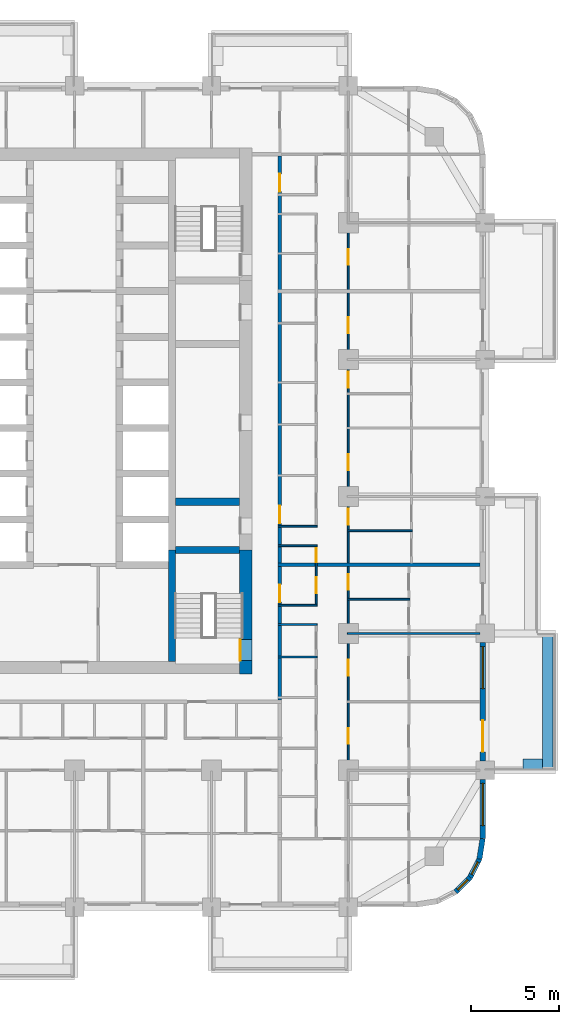
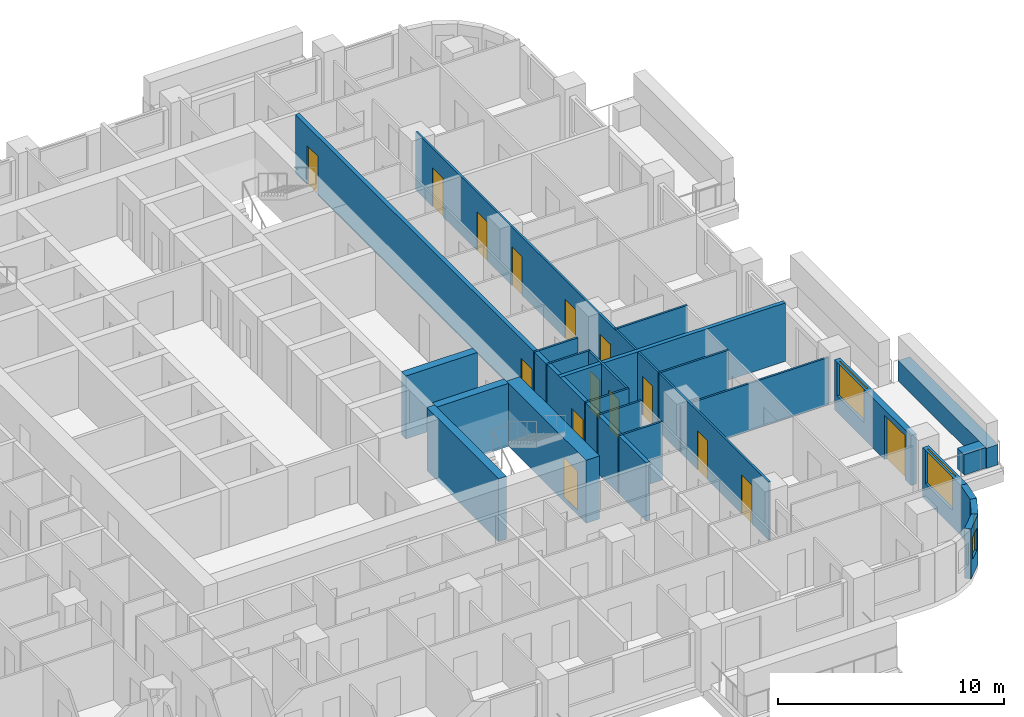
# One storey, part 8 of 17: 23 walls, 15 doors, 4 windows, 19 openings.
"""IFC4 building model written with IfcOpenShell, lengths in metres."""

from ifc_helpers import new_model, si_unit, direction, frame, frame_2d, origin, place, context, subcontext, project, spatial, rectangle, extrude, material, layer, layer_set, type_object, element, fill, save


model = new_model("IFC4")

# Units and contexts
model_context = context("Model", 3, precision=1e-05, world=origin(), true_north=direction((0.0, 1.0)))
body_context = subcontext(model_context, "Body", "Model", "MODEL_VIEW")
ifc_project = project(units=[si_unit("LENGTHUNIT", "METRE"), si_unit("AREAUNIT", "SQUARE_METRE"), si_unit("VOLUMEUNIT", "CUBIC_METRE"), si_unit("PLANEANGLEUNIT", "RADIAN"), si_unit("MASSUNIT", "GRAM", prefix="KILO")], contexts=[model_context])

# Site, building, storey
site_placement = place(None, origin())
site = spatial("IfcSite", under=ifc_project, at=site_placement, CompositionType="ELEMENT")
building_placement = place(site_placement, origin())
building = spatial("IfcBuilding", under=site, at=building_placement, Name="Ludao Terraces", CompositionType="ELEMENT")
storey_placement = place(building_placement, frame((0.0, 0.0, 19.5)))
storey = spatial("IfcBuildingStorey", under=building, at=storey_placement, Name="L04", CompositionType="ELEMENT", Elevation=19.5)

# Wall, opening, door
ifc_material_1 = material(Name="Concrete C70", Category="concrete")
ifc_layer_1 = layer(ifc_material_1, 0.699951171875)
ifc_layer_set_1 = layer_set([ifc_layer_1], Name="Core wall 700 C70")
wall_type_1 = type_object("IfcWallType", Name="Core wall 700 C70", PredefinedType="SOLIDWALL", material=ifc_layer_set_1)
wall_1_placement = place(storey_placement, frame((94.75, 54.89990234375, -0.25), z_axis=(0.0, 0.0, 1.0), x_axis=(0.0, 1.0, 0.0)))
wall_1 = element("IfcWall", 1, at=wall_1_placement, inside=storey, type_object=wall_type_1, Name="Core wall L04 outer-E-S3", PredefinedType="SOLIDWALL", context=body_context, shape_type="SweptSolid", body=[
    extrude(rectangle(XDim=7.050048828125, YDim=0.699951171875, at=frame_2d((3.52490234375, 0.0))), origin(), (0.0, 0.0, 1.0), 3.39990234375),
])
opening_1_placement = place(wall_1_placement, frame((0.75, 0.0, 0.25)))
opening_1 = element("IfcOpeningElement", 2, at=opening_1_placement, cuts=wall_1, Name="Opening R01-057", PredefinedType="OPENING", context=body_context, shape_type="SweptSolid", body=[
    extrude(rectangle(XDim=1.199951171875, YDim=2.10009765625, at=frame_2d((0.60009765625, 1.050048828125))), frame((0.0, 0.35986328125, 0.0), z_axis=(0.0, -1.0, 0.0), x_axis=(1.0, 0.0, 0.0)), (0.0, 0.0, 1.0), 0.719970703125),
])
ifc_material_2 = material(Name="Steel Q235", Category="steel")
door_type_1 = type_object("IfcDoorType", Name="INT Stair door 1200", OperationType="DOUBLE_DOOR_SINGLE_SWING", PredefinedType="DOOR", material=ifc_material_2)
door_1_placement = place(opening_1_placement, origin())
door_1 = element("IfcDoor", 3, at=door_1_placement, inside=storey, type_object=door_type_1, Name="DOOR 057", OperationType="DOUBLE_DOOR_SINGLE_SWING", OverallHeight=2.10009765625, OverallWidth=1.199951171875, PredefinedType="DOOR", context=body_context, shape_type="SweptSolid", body=[
    extrude(rectangle(XDim=1.199951171875, YDim=2.10009765625, at=frame_2d((0.60009765625, 1.050048828125))), frame((0.0, 0.3349609375, 0.0), z_axis=(0.0, -1.0, 0.0), x_axis=(1.0, 0.0, 0.0)), (0.0, 0.0, 1.0), 0.050048828125),
])
fill(opening_1, door_1)

# Walls
ifc_material_3 = material(Name="Concrete C40", Category="concrete")
ifc_layer_2 = layer(ifc_material_3, 0.60009765625)
ifc_layer_set_2 = layer_set([ifc_layer_2], Name="ENV Planter trough 600")
wall_type_2 = type_object("IfcWallType", Name="ENV Planter trough 600", PredefinedType="USERDEFINED", material=ifc_layer_set_2)
wall_2_placement = place(storey_placement, frame((111.949951171875, 49.39990234375, 0.0), z_axis=(0.0, 0.0, 1.0), x_axis=(0.0, 1.0, 0.0)))
element("IfcWall", 4, at=wall_2_placement, inside=storey, type_object=wall_type_2, Name="PL-L04-E1", ObjectType="PLANTER", PredefinedType="USERDEFINED", context=body_context, shape_type="SweptSolid", body=[
    extrude(rectangle(XDim=7.800048828125, YDim=0.60009765625, at=frame_2d((3.89990234375, 0.0))), origin(), (0.0, 0.0, 1.0), 1.10009765625),
])
wall_3_placement = place(storey_placement, frame((111.64990234375, 49.75, 0.0), z_axis=(0.0, 0.0, 1.0), x_axis=(-1.0, 0.0, 0.0)))
element("IfcWall", 5, at=wall_3_placement, inside=storey, type_object=wall_type_2, Name="PL-L04-E1-SA", ObjectType="PLANTER", PredefinedType="USERDEFINED", context=body_context, shape_type="SweptSolid", body=[
    extrude(rectangle(XDim=1.099853515625, YDim=0.60009765625, at=frame_2d((0.5498046875, 0.0))), origin(), (0.0, 0.0, 1.0), 1.10009765625),
])

# Wall, opening, window
ifc_material_4 = material(Name="Granite cladding", Category="masonry")
ifc_layer_3 = layer(ifc_material_4, 0.0400390625, Category="stone")
ifc_material_5 = material(Name="Mineral wool")
ifc_layer_4 = layer(ifc_material_5, 0.06005859375)
ifc_layer_5 = layer(ifc_material_3, 0.199951171875, Category="concrete")
ifc_layer_set_3 = layer_set([ifc_layer_3, ifc_layer_4, ifc_layer_5], Name="ENV Stone-clad wall 300")
wall_type_3 = type_object("IfcWallType", Name="ENV Stone-clad wall 300", PredefinedType="SOLIDWALL", material=ifc_layer_set_3)
wall_4_placement = place(storey_placement, frame((108.25, 45.5, 0.0), z_axis=(0.0, 0.0, 1.0), x_axis=(0.0, 1.0, 0.0)))
wall_4 = element("IfcWall", 6, at=wall_4_placement, inside=storey, type_object=wall_type_3, Name="EW-L04-E1", PredefinedType="SOLIDWALL", context=body_context, shape_type="SweptSolid", body=[
    extrude(rectangle(XDim=3.375, YDim=0.300048828125, at=frame_2d((1.6875, 0.0))), origin(), (0.0, 0.0, 1.0), 2.699951171875),
])
opening_2_placement = place(wall_4_placement, frame((0.75, 0.0, 0.89990234375)))
opening_2 = element("IfcOpeningElement", 7, at=opening_2_placement, cuts=wall_4, Name="Opening W1", PredefinedType="OPENING", context=body_context, shape_type="SweptSolid", body=[
    extrude(rectangle(XDim=2.39990234375, YDim=1.800048828125, at=frame_2d((1.199951171875, 0.89990234375))), frame((0.0, 0.16015625, 0.0), z_axis=(0.0, -1.0, 0.0), x_axis=(1.0, 0.0, 0.0)), (0.0, 0.0, 1.0), 0.320068359375),
])
ifc_material_6 = material(Name="Clear glass in aluminium frame", Category="aluminium")
ifc_layer_6 = layer(ifc_material_6, 0.06005859375)
ifc_layer_set_4 = layer_set([ifc_layer_6], Name="ENV Window W1 2400x1800")
window_type_1 = type_object("IfcWindowType", Name="ENV Window W1 2400x1800", PartitioningType="DOUBLE_PANEL_VERTICAL", PredefinedType="WINDOW", material=ifc_layer_set_4)
window_1_placement = place(opening_2_placement, origin())
window_1 = element("IfcWindow", 8, at=window_1_placement, inside=storey, type_object=window_type_1, Name="W-L04-E1-1", OverallHeight=1.800048828125, OverallWidth=2.39990234375, PartitioningType="DOUBLE_PANEL_VERTICAL", PredefinedType="WINDOW", context=body_context, shape_type="SweptSolid", body=[
    extrude(rectangle(XDim=2.39990234375, YDim=1.800048828125, at=frame_2d((1.199951171875, 0.89990234375))), frame((0.0, 0.030029296875, 0.0), z_axis=(0.0, -1.0, 0.0), x_axis=(1.0, 0.0, 0.0)), (0.0, 0.0, 1.0), 0.06005859375),
])
fill(opening_2, window_1)

# Wall, openings, door, window
wall_5_placement = place(storey_placement, frame((108.25, 49.925048828125, 0.0), z_axis=(0.0, 0.0, 1.0), x_axis=(0.0, 1.0, 0.0)))
wall_5 = element("IfcWall", 9, at=wall_5_placement, inside=storey, type_object=wall_type_3, Name="EW-L04-E2", PredefinedType="SOLIDWALL", context=body_context, shape_type="SweptSolid", body=[
    extrude(rectangle(XDim=6.75, YDim=0.300048828125, at=frame_2d((3.375, 0.0))), origin(), (0.0, 0.0, 1.0), 2.699951171875),
])
opening_3_placement = place(wall_5_placement, frame((0.52490234375, 0.0, 0.0)))
opening_3 = element("IfcOpeningElement", 10, at=opening_3_placement, cuts=wall_5, Name="Opening BD", PredefinedType="OPENING", context=body_context, shape_type="SweptSolid", body=[
    extrude(rectangle(XDim=1.800048828125, YDim=2.39990234375, at=frame_2d((0.89990234375, 1.199951171875))), frame((0.0, 0.16015625, 0.0), z_axis=(0.0, -1.0, 0.0), x_axis=(1.0, 0.0, 0.0)), (0.0, 0.0, 1.0), 0.320068359375),
])
opening_4_placement = place(wall_5_placement, frame((4.125, 0.0, 0.89990234375)))
opening_4 = element("IfcOpeningElement", 11, at=opening_4_placement, cuts=wall_5, Name="Opening W1", PredefinedType="OPENING", context=body_context, shape_type="SweptSolid", body=[
    extrude(rectangle(XDim=2.39990234375, YDim=1.800048828125, at=frame_2d((1.199951171875, 0.89990234375))), frame((0.0, 0.16015625, 0.0), z_axis=(0.0, -1.0, 0.0), x_axis=(1.0, 0.0, 0.0)), (0.0, 0.0, 1.0), 0.320068359375),
])
ifc_material_7 = material(Name="Aluminium glazed door", Category="aluminium")
ifc_layer_7 = layer(ifc_material_7, 0.06005859375)
ifc_layer_set_5 = layer_set([ifc_layer_7], Name="ENV Balcony door BD 1800x2400")
door_type_2 = type_object("IfcDoorType", Name="ENV Balcony door BD 1800x2400", OperationType="DOUBLE_DOOR_SINGLE_SWING", PredefinedType="DOOR", material=ifc_layer_set_5)
door_2_placement = place(opening_3_placement, origin())
door_2 = element("IfcDoor", 12, at=door_2_placement, inside=storey, type_object=door_type_2, Name="BD-L04-E2-1", OperationType="DOUBLE_DOOR_SINGLE_SWING", OverallHeight=2.39990234375, OverallWidth=1.800048828125, PredefinedType="DOOR", context=body_context, shape_type="SweptSolid", body=[
    extrude(rectangle(XDim=1.800048828125, YDim=2.39990234375, at=frame_2d((0.89990234375, 1.199951171875))), frame((0.0, 0.02490234375, 0.0), z_axis=(0.0, -1.0, 0.0), x_axis=(1.0, 0.0, 0.0)), (0.0, 0.0, 1.0), 0.050048828125),
])
fill(opening_3, door_2)
window_2_placement = place(opening_4_placement, origin())
window_2 = element("IfcWindow", 13, at=window_2_placement, inside=storey, type_object=window_type_1, Name="W-L04-E2-2", OverallHeight=1.800048828125, OverallWidth=2.39990234375, PartitioningType="DOUBLE_PANEL_VERTICAL", PredefinedType="WINDOW", context=body_context, shape_type="SweptSolid", body=[
    extrude(rectangle(XDim=2.39990234375, YDim=1.800048828125, at=frame_2d((1.199951171875, 0.89990234375))), frame((0.0, 0.030029296875, 0.0), z_axis=(0.0, -1.0, 0.0), x_axis=(1.0, 0.0, 0.0)), (0.0, 0.0, 1.0), 0.06005859375),
])
fill(opening_4, window_2)

# Wall, opening, window
wall_6_placement = place(storey_placement, frame((106.7041015625, 42.46630859375, 0.0), z_axis=(0.0, 0.0, 1.0), x_axis=(0.707106781187, 0.707106781187, 0.0)))
wall_6 = element("IfcWall", 14, at=wall_6_placement, inside=storey, type_object=wall_type_3, Name="EW-L04-SE3", PredefinedType="SOLIDWALL", context=body_context, shape_type="SweptSolid", body=[
    extrude(rectangle(XDim=1.173095703125, YDim=0.300048828125, at=frame_2d((0.58642578125, 0.0))), origin(), (0.0, 0.0, 1.0), 2.699951171875),
])
opening_5_placement = place(wall_6_placement, frame((0.1865234375, 0.0, 0.89990234375)))
opening_5 = element("IfcOpeningElement", 15, at=opening_5_placement, cuts=wall_6, Name="Opening W3", PredefinedType="OPENING", context=body_context, shape_type="SweptSolid", body=[
    extrude(rectangle(XDim=0.800048828125, YDim=1.199951171875, at=frame_2d((0.39990234375, 0.60009765625))), frame((0.0, 0.16015625, 0.0), z_axis=(0.0, -1.0, 0.0), x_axis=(1.0, 0.0, 0.0)), (0.0, 0.0, 1.0), 0.320068359375),
])
ifc_layer_8 = layer(ifc_material_6, 0.06005859375)
ifc_layer_set_6 = layer_set([ifc_layer_8], Name="ENV Window W3 800x1200")
window_type_2 = type_object("IfcWindowType", Name="ENV Window W3 800x1200", PartitioningType="SINGLE_PANEL", PredefinedType="WINDOW", material=ifc_layer_set_6)
window_3_placement = place(opening_5_placement, origin())
window_3 = element("IfcWindow", 16, at=window_3_placement, inside=storey, type_object=window_type_2, Name="W-L04-SE3", OverallHeight=1.199951171875, OverallWidth=0.800048828125, PartitioningType="SINGLE_PANEL", PredefinedType="WINDOW", context=body_context, shape_type="SweptSolid", body=[
    extrude(rectangle(XDim=0.800048828125, YDim=1.199951171875, at=frame_2d((0.39990234375, 0.60009765625))), frame((0.0, 0.030029296875, 0.0), z_axis=(0.0, -1.0, 0.0), x_axis=(1.0, 0.0, 0.0)), (0.0, 0.0, 1.0), 0.06005859375),
])
fill(opening_5, window_3)

wall_7_placement = place(storey_placement, frame((107.53369140625, 43.2958984375, 0.0), z_axis=(0.0, 0.0, 1.0), x_axis=(0.454025524128, 0.890988677504, 0.0)))
wall_7 = element("IfcWall", 17, at=wall_7_placement, inside=storey, type_object=wall_type_3, Name="EW-L04-SE4", PredefinedType="SOLIDWALL", context=body_context, shape_type="SweptSolid", body=[
    extrude(rectangle(XDim=1.17333984375, YDim=0.300048828125, at=frame_2d((0.586669921875, 0.0))), origin(), (0.0, 0.0, 1.0), 2.699951171875),
])
opening_6_placement = place(wall_7_placement, frame((0.1865234375, 0.0, 0.89990234375)))
opening_6 = element("IfcOpeningElement", 18, at=opening_6_placement, cuts=wall_7, Name="Opening W3", PredefinedType="OPENING", context=body_context, shape_type="SweptSolid", body=[
    extrude(rectangle(XDim=0.800048828125, YDim=1.199951171875, at=frame_2d((0.39990234375, 0.60009765625))), frame((0.0, 0.16015625, 0.0), z_axis=(0.0, -1.0, 0.0), x_axis=(1.0, 0.0, 0.0)), (0.0, 0.0, 1.0), 0.320068359375),
])
window_4_placement = place(opening_6_placement, origin())
window_4 = element("IfcWindow", 19, at=window_4_placement, inside=storey, type_object=window_type_2, Name="W-L04-SE4", OverallHeight=1.199951171875, OverallWidth=0.800048828125, PartitioningType="SINGLE_PANEL", PredefinedType="WINDOW", context=body_context, shape_type="SweptSolid", body=[
    extrude(rectangle(XDim=0.800048828125, YDim=1.199951171875, at=frame_2d((0.39990234375, 0.60009765625))), frame((0.0, 0.030029296875, 0.0), z_axis=(0.0, -1.0, 0.0), x_axis=(1.0, 0.0, 0.0)), (0.0, 0.0, 1.0), 0.06005859375),
])
fill(opening_6, window_4)

# Wall
wall_8_placement = place(storey_placement, frame((108.06640625, 44.34130859375, 0.0), z_axis=(0.0, 0.0, 1.0), x_axis=(0.156496880861, 0.987678452879, 0.0)))
element("IfcWall", 20, at=wall_8_placement, inside=storey, type_object=wall_type_3, Name="EW-L04-SE5", PredefinedType="SOLIDWALL", context=body_context, shape_type="SweptSolid", body=[
    extrude(rectangle(XDim=1.173095703125, YDim=0.300048828125, at=frame_2d((0.58642578125, 0.0))), origin(), (0.0, 0.0, 1.0), 2.699951171875),
])

# Wall, openings, doors
ifc_material_8 = material(Name="Autoclaved aerated concrete block B06 A3.5", Category="concrete")
ifc_layer_9 = layer(ifc_material_8, 0.199951171875)
ifc_layer_set_7 = layer_set([ifc_layer_9], Name="INT Entrance wall 200")
wall_type_4 = type_object("IfcWallType", Name="INT Entrance wall 200", PredefinedType="PARTITIONING", material=ifc_layer_set_7)
wall_9_placement = place(storey_placement, frame((96.699951171875, 53.400146484375, 0.0), z_axis=(0.0, 0.0, 1.0), x_axis=(0.0, 1.0, 0.0)))
wall_9 = element("IfcWall", 21, at=wall_9_placement, inside=storey, type_object=wall_type_4, Name="PW-L04-PW110", PredefinedType="PARTITIONING", context=body_context, shape_type="SweptSolid", body=[
    extrude(rectangle(XDim=31.0, YDim=0.199951171875, at=frame_2d((15.5, 0.0))), origin(), (0.0, 0.0, 1.0), 3.14990234375),
])
opening_7_placement = place(wall_9_placement, frame((5.574951171875, 0.0, 0.0)))
opening_7 = element("IfcOpeningElement", 22, at=opening_7_placement, cuts=wall_9, Name="Opening R01-063", PredefinedType="OPENING", context=body_context, shape_type="SweptSolid", body=[
    extrude(rectangle(XDim=1.0, YDim=2.10009765625, at=frame_2d((0.5, 1.050048828125))), frame((0.0, 0.10986328125, 0.0), z_axis=(0.0, -1.0, 0.0), x_axis=(1.0, 0.0, 0.0)), (0.0, 0.0, 1.0), 0.219970703125),
])
opening_8_placement = place(wall_9_placement, frame((10.074951171875, 0.0, 0.0)))
opening_8 = element("IfcOpeningElement", 23, at=opening_8_placement, cuts=wall_9, Name="Opening R01-080", PredefinedType="OPENING", context=body_context, shape_type="SweptSolid", body=[
    extrude(rectangle(XDim=1.0, YDim=2.10009765625, at=frame_2d((0.5, 1.050048828125))), frame((0.0, 0.10986328125, 0.0), z_axis=(0.0, -1.0, 0.0), x_axis=(1.0, 0.0, 0.0)), (0.0, 0.0, 1.0), 0.219970703125),
])
opening_9_placement = place(wall_9_placement, frame((28.97509765625, 0.0, 0.0)))
opening_9 = element("IfcOpeningElement", 24, at=opening_9_placement, cuts=wall_9, Name="Opening R01-142", PredefinedType="OPENING", context=body_context, shape_type="SweptSolid", body=[
    extrude(rectangle(XDim=1.0, YDim=2.10009765625, at=frame_2d((0.5, 1.050048828125))), frame((0.0, 0.10986328125, 0.0), z_axis=(0.0, -1.0, 0.0), x_axis=(1.0, 0.0, 0.0)), (0.0, 0.0, 1.0), 0.219970703125),
])
door_type_3 = type_object("IfcDoorType", Name="INT Flat entrance door 1000", OperationType="SINGLE_SWING_LEFT", PredefinedType="DOOR", material=ifc_material_2)
door_3_placement = place(opening_7_placement, origin())
door_3 = element("IfcDoor", 25, at=door_3_placement, inside=storey, type_object=door_type_3, Name="DOOR 063", OperationType="SINGLE_SWING_LEFT", OverallHeight=2.10009765625, OverallWidth=1.0, PredefinedType="DOOR", context=body_context, shape_type="SweptSolid", body=[
    extrude(rectangle(XDim=1.0, YDim=2.10009765625, at=frame_2d((0.5, 1.050048828125))), frame((0.0, 0.02490234375, 0.0), z_axis=(0.0, -1.0, 0.0), x_axis=(1.0, 0.0, 0.0)), (0.0, 0.0, 1.0), 0.050048828125),
])
fill(opening_7, door_3)
door_4_placement = place(opening_8_placement, origin())
door_4 = element("IfcDoor", 26, at=door_4_placement, inside=storey, type_object=door_type_3, Name="DOOR 080", OperationType="SINGLE_SWING_LEFT", OverallHeight=2.10009765625, OverallWidth=1.0, PredefinedType="DOOR", context=body_context, shape_type="SweptSolid", body=[
    extrude(rectangle(XDim=1.0, YDim=2.10009765625, at=frame_2d((0.5, 1.050048828125))), frame((0.0, 0.02490234375, 0.0), z_axis=(0.0, -1.0, 0.0), x_axis=(1.0, 0.0, 0.0)), (0.0, 0.0, 1.0), 0.050048828125),
])
fill(opening_8, door_4)
door_5_placement = place(opening_9_placement, origin())
door_5 = element("IfcDoor", 27, at=door_5_placement, inside=storey, type_object=door_type_3, Name="DOOR 142", OperationType="SINGLE_SWING_LEFT", OverallHeight=2.10009765625, OverallWidth=1.0, PredefinedType="DOOR", context=body_context, shape_type="SweptSolid", body=[
    extrude(rectangle(XDim=1.0, YDim=2.10009765625, at=frame_2d((0.5, 1.050048828125))), frame((0.0, 0.02490234375, 0.0), z_axis=(0.0, -1.0, 0.0), x_axis=(1.0, 0.0, 0.0)), (0.0, 0.0, 1.0), 0.050048828125),
])
fill(opening_9, door_5)

# Walls
ifc_material_9 = material(Name="Gypsum plasterboard", Category="gypsum")
ifc_layer_10 = layer(ifc_material_9, 0.012451171875, Category="gypsum")
ifc_layer_11 = layer(ifc_material_5, 0.06005859375, Name="insulation")
ifc_layer_12 = layer(ifc_material_2, 0.014892578125, Name="stud")
ifc_layer_13 = layer(ifc_material_9, 0.012451171875, Category="gypsum")
ifc_layer_set_8 = layer_set([ifc_layer_10, ifc_layer_11, ifc_layer_12, ifc_layer_13], Name="INT Partition 100")
wall_type_5 = type_object("IfcWallType", Name="INT Partition 100", PredefinedType="PARTITIONING", material=ifc_layer_set_8)
wall_10_placement = place(storey_placement, frame((96.60009765625, 55.85009765625, 0.0), z_axis=(0.0, 0.0, 1.0), x_axis=(1.0, 0.0, 0.0)))
element("IfcWall", 28, at=wall_10_placement, inside=storey, type_object=wall_type_5, Name="PW-L04-PW023", PredefinedType="PARTITIONING", context=body_context, shape_type="SweptSolid", body=[
    extrude(rectangle(XDim=2.219970703125, YDim=0.10009765625, at=frame_2d((1.10986328125, 0.0))), origin(), (0.0, 0.0, 1.0), 3.14990234375),
])
wall_11_placement = place(storey_placement, frame((100.550048828125, 57.199951171875, 0.0), z_axis=(0.0, 0.0, 1.0), x_axis=(1.0, 0.0, 0.0)))
element("IfcWall", 29, at=wall_11_placement, inside=storey, type_object=wall_type_5, Name="PW-L04-PW025", PredefinedType="PARTITIONING", context=body_context, shape_type="SweptSolid", body=[
    extrude(rectangle(XDim=7.550048828125, YDim=0.10009765625, at=frame_2d((3.77490234375, 0.0))), origin(), (0.0, 0.0, 1.0), 2.550048828125),
])
for number, where, z_axis, x_axis, name in (
    (30, (96.60009765625, 57.699951171875, 0.0), (0.0, 0.0, 1.0), (1.0, 0.0, 0.0), "PW-L04-PW026"),
    (31, (96.60009765625, 58.800048828125, 0.0), (0.0, 0.0, 1.0), (1.0, 0.0, 0.0), "PW-L04-PW028"),
):
    element("IfcWall", number, at=place(storey_placement, frame(where, z_axis=z_axis, x_axis=x_axis)), inside=storey, type_object=wall_type_5, Name=name, PredefinedType="PARTITIONING", context=body_context, shape_type="SweptSolid", body=[
        extrude(rectangle(XDim=2.219970703125, YDim=0.10009765625, at=frame_2d((1.10986328125, 0.0))), origin(), (0.0, 0.0, 1.0), 3.14990234375),
    ])
wall_12_placement = place(storey_placement, frame((100.550048828125, 59.14990234375, 0.0), z_axis=(0.0, 0.0, 1.0), x_axis=(1.0, 0.0, 0.0)))
element("IfcWall", 32, at=wall_12_placement, inside=storey, type_object=wall_type_5, Name="PW-L04-PW030", PredefinedType="PARTITIONING", context=body_context, shape_type="SweptSolid", body=[
    extrude(rectangle(XDim=3.550048828125, YDim=0.10009765625, at=frame_2d((1.77490234375, 0.0))), origin(), (0.0, 0.0, 1.0), 3.14990234375),
])
wall_13_placement = place(storey_placement, frame((96.60009765625, 62.199951171875, 0.0), z_axis=(0.0, 0.0, 1.0), x_axis=(1.0, 0.0, 0.0)))
element("IfcWall", 33, at=wall_13_placement, inside=storey, type_object=wall_type_5, Name="PW-L04-PW034", PredefinedType="PARTITIONING", context=body_context, shape_type="SweptSolid", body=[
    extrude(rectangle(XDim=2.219970703125, YDim=0.10009765625, at=frame_2d((1.10986328125, 0.0))), origin(), (0.0, 0.0, 1.0), 3.14990234375),
])
wall_14_placement = place(storey_placement, frame((100.550048828125, 63.050048828125, 0.0), z_axis=(0.0, 0.0, 1.0), x_axis=(1.0, 0.0, 0.0)))
element("IfcWall", 34, at=wall_14_placement, inside=storey, type_object=wall_type_5, Name="PW-L04-PW036", PredefinedType="PARTITIONING", context=body_context, shape_type="SweptSolid", body=[
    extrude(rectangle(XDim=3.699951171875, YDim=0.10009765625, at=frame_2d((1.85009765625, 0.0))), origin(), (0.0, 0.0, 1.0), 3.14990234375),
])
wall_15_placement = place(storey_placement, frame((96.60009765625, 63.300048828125, 0.0), z_axis=(0.0, 0.0, 1.0), x_axis=(1.0, 0.0, 0.0)))
element("IfcWall", 35, at=wall_15_placement, inside=storey, type_object=wall_type_5, Name="PW-L04-PW037", PredefinedType="PARTITIONING", context=body_context, shape_type="SweptSolid", body=[
    extrude(rectangle(XDim=2.219970703125, YDim=0.10009765625, at=frame_2d((1.10986328125, 0.0))), origin(), (0.0, 0.0, 1.0), 3.14990234375),
])

# Wall, openings, doors
wall_16_placement = place(storey_placement, frame((98.77001953125, 58.85009765625, 0.0), z_axis=(0.0, 0.0, 1.0), x_axis=(0.0, 1.0, 0.0)))
wall_16 = element("IfcWall", 36, at=wall_16_placement, inside=storey, type_object=wall_type_5, Name="PW-L04-PW113", PredefinedType="PARTITIONING", context=body_context, shape_type="SweptSolid", body=[
    extrude(rectangle(XDim=3.300048828125, YDim=0.10009765625, at=frame_2d((1.64990234375, 0.0))), origin(), (0.0, 0.0, 1.0), 3.14990234375),
])
opening_10_placement = place(wall_16_placement, frame((0.64990234375, 0.0, 0.0)))
opening_10 = element("IfcOpeningElement", 37, at=opening_10_placement, cuts=wall_16, Name="Opening R01-065", PredefinedType="OPENING", context=body_context, shape_type="SweptSolid", body=[
    extrude(rectangle(XDim=0.89990234375, YDim=2.10009765625, at=frame_2d((0.449951171875, 1.050048828125))), frame((0.0, 0.06005859375, 0.0), z_axis=(0.0, -1.0, 0.0), x_axis=(1.0, 0.0, 0.0)), (0.0, 0.0, 1.0), 0.1201171875),
])
opening_11_placement = place(wall_16_placement, frame((2.39990234375, 0.0, 0.0)))
opening_11 = element("IfcOpeningElement", 38, at=opening_11_placement, cuts=wall_16, Name="Opening R01-071", PredefinedType="OPENING", context=body_context, shape_type="SweptSolid", body=[
    extrude(rectangle(XDim=0.800048828125, YDim=2.10009765625, at=frame_2d((0.39990234375, 1.050048828125))), frame((0.0, 0.06005859375, 0.0), z_axis=(0.0, -1.0, 0.0), x_axis=(1.0, 0.0, 0.0)), (0.0, 0.0, 1.0), 0.1201171875),
])
ifc_material_10 = material(Name="Timber door leaf", Category="wood")
door_type_4 = type_object("IfcDoorType", Name="INT Room door 900", OperationType="SINGLE_SWING_LEFT", PredefinedType="DOOR", material=ifc_material_10)
door_6_placement = place(opening_10_placement, origin())
door_6 = element("IfcDoor", 39, at=door_6_placement, inside=storey, type_object=door_type_4, Name="DOOR 065", OperationType="SINGLE_SWING_RIGHT", OverallHeight=2.10009765625, OverallWidth=0.89990234375, PredefinedType="DOOR", context=body_context, shape_type="SweptSolid", body=[
    extrude(rectangle(XDim=0.89990234375, YDim=2.10009765625, at=frame_2d((0.449951171875, 1.050048828125))), frame((0.0, 0.02490234375, 0.0), z_axis=(0.0, -1.0, 0.0), x_axis=(1.0, 0.0, 0.0)), (0.0, 0.0, 1.0), 0.050048828125),
])
fill(opening_10, door_6)
door_type_5 = type_object("IfcDoorType", Name="INT Store door 800", OperationType="SINGLE_SWING_LEFT", PredefinedType="DOOR", material=ifc_material_10)
door_7_placement = place(opening_11_placement, origin())
door_7 = element("IfcDoor", 40, at=door_7_placement, inside=storey, type_object=door_type_5, Name="DOOR 071", OperationType="SINGLE_SWING_LEFT", OverallHeight=2.10009765625, OverallWidth=0.800048828125, PredefinedType="DOOR", context=body_context, shape_type="SweptSolid", body=[
    extrude(rectangle(XDim=0.800048828125, YDim=2.10009765625, at=frame_2d((0.39990234375, 1.050048828125))), frame((0.0, 0.02490234375, 0.0), z_axis=(0.0, -1.0, 0.0), x_axis=(1.0, 0.0, 0.0)), (0.0, 0.0, 1.0), 0.050048828125),
])
fill(opening_11, door_7)

wall_17_placement = place(storey_placement, frame((100.60009765625, 49.39990234375, 0.0), z_axis=(0.0, 0.0, 1.0), x_axis=(0.0, 1.0, 0.0)))
wall_17 = element("IfcWall", 41, at=wall_17_placement, inside=storey, type_object=wall_type_5, Name="PW-L04-PW116-2", PredefinedType="PARTITIONING", context=body_context, shape_type="SweptSolid", body=[
    extrude(rectangle(XDim=31.2001953125, YDim=0.10009765625, at=frame_2d((15.60009765625, 0.0))), origin(), (0.0, 0.0, 1.0), 3.14990234375),
])
opening_12_placement = place(wall_17_placement, frame((1.500244140625, 0.0, 0.0)))
opening_12 = element("IfcOpeningElement", 42, at=opening_12_placement, cuts=wall_17, Name="Opening R01-043", PredefinedType="OPENING", context=body_context, shape_type="SweptSolid", body=[
    extrude(rectangle(XDim=0.89990234375, YDim=2.10009765625, at=frame_2d((0.449951171875, 1.050048828125))), frame((0.0, 0.06005859375, 0.0), z_axis=(0.0, -1.0, 0.0), x_axis=(1.0, 0.0, 0.0)), (0.0, 0.0, 1.0), 0.1201171875),
])
opening_13_placement = place(wall_17_placement, frame((5.400146484375, 0.0, 0.0)))
opening_13 = element("IfcOpeningElement", 43, at=opening_13_placement, cuts=wall_17, Name="Opening R01-052", PredefinedType="OPENING", context=body_context, shape_type="SweptSolid", body=[
    extrude(rectangle(XDim=0.89990234375, YDim=2.10009765625, at=frame_2d((0.449951171875, 1.050048828125))), frame((0.0, 0.06005859375, 0.0), z_axis=(0.0, -1.0, 0.0), x_axis=(1.0, 0.0, 0.0)), (0.0, 0.0, 1.0), 0.1201171875),
])
opening_14_placement = place(wall_17_placement, frame((10.275146484375, 0.0, 0.0)))
opening_14 = element("IfcOpeningElement", 44, at=opening_14_placement, cuts=wall_17, Name="Opening R01-068", PredefinedType="OPENING", context=body_context, shape_type="SweptSolid", body=[
    extrude(rectangle(XDim=0.89990234375, YDim=2.10009765625, at=frame_2d((0.449951171875, 1.050048828125))), frame((0.0, 0.06005859375, 0.0), z_axis=(0.0, -1.0, 0.0), x_axis=(1.0, 0.0, 0.0)), (0.0, 0.0, 1.0), 0.1201171875),
])
opening_15_placement = place(wall_17_placement, frame((14.000244140625, 0.0, 0.0)))
opening_15 = element("IfcOpeningElement", 45, at=opening_15_placement, cuts=wall_17, Name="Opening R01-079", PredefinedType="OPENING", context=body_context, shape_type="SweptSolid", body=[
    extrude(rectangle(XDim=0.89990234375, YDim=2.10009765625, at=frame_2d((0.449951171875, 1.050048828125))), frame((0.0, 0.06005859375, 0.0), z_axis=(0.0, -1.0, 0.0), x_axis=(1.0, 0.0, 0.0)), (0.0, 0.0, 1.0), 0.1201171875),
])
opening_16_placement = place(wall_17_placement, frame((17.10009765625, 0.0, 0.0)))
opening_16 = element("IfcOpeningElement", 46, at=opening_16_placement, cuts=wall_17, Name="Opening R01-088", PredefinedType="OPENING", context=body_context, shape_type="SweptSolid", body=[
    extrude(rectangle(XDim=0.89990234375, YDim=2.10009765625, at=frame_2d((0.449951171875, 1.050048828125))), frame((0.0, 0.06005859375, 0.0), z_axis=(0.0, -1.0, 0.0), x_axis=(1.0, 0.0, 0.0)), (0.0, 0.0, 1.0), 0.1201171875),
])
opening_17_placement = place(wall_17_placement, frame((21.80029296875, 0.0, 0.0)))
opening_17 = element("IfcOpeningElement", 47, at=opening_17_placement, cuts=wall_17, Name="Opening R01-103", PredefinedType="OPENING", context=body_context, shape_type="SweptSolid", body=[
    extrude(rectangle(XDim=0.89990234375, YDim=2.10009765625, at=frame_2d((0.449951171875, 1.050048828125))), frame((0.0, 0.06005859375, 0.0), z_axis=(0.0, -1.0, 0.0), x_axis=(1.0, 0.0, 0.0)), (0.0, 0.0, 1.0), 0.1201171875),
])
opening_18_placement = place(wall_17_placement, frame((24.900146484375, 0.0, 0.0)))
opening_18 = element("IfcOpeningElement", 48, at=opening_18_placement, cuts=wall_17, Name="Opening R01-113", PredefinedType="OPENING", context=body_context, shape_type="SweptSolid", body=[
    extrude(rectangle(XDim=0.89990234375, YDim=2.10009765625, at=frame_2d((0.449951171875, 1.050048828125))), frame((0.0, 0.06005859375, 0.0), z_axis=(0.0, -1.0, 0.0), x_axis=(1.0, 0.0, 0.0)), (0.0, 0.0, 1.0), 0.1201171875),
])
opening_19_placement = place(wall_17_placement, frame((28.80029296875, 0.0, 0.0)))
opening_19 = element("IfcOpeningElement", 49, at=opening_19_placement, cuts=wall_17, Name="Opening R01-129", PredefinedType="OPENING", context=body_context, shape_type="SweptSolid", body=[
    extrude(rectangle(XDim=0.89990234375, YDim=2.10009765625, at=frame_2d((0.449951171875, 1.050048828125))), frame((0.0, 0.06005859375, 0.0), z_axis=(0.0, -1.0, 0.0), x_axis=(1.0, 0.0, 0.0)), (0.0, 0.0, 1.0), 0.1201171875),
])
door_8_placement = place(opening_12_placement, origin())
door_8 = element("IfcDoor", 50, at=door_8_placement, inside=storey, type_object=door_type_4, Name="DOOR 043", OperationType="SINGLE_SWING_LEFT", OverallHeight=2.10009765625, OverallWidth=0.89990234375, PredefinedType="DOOR", context=body_context, shape_type="SweptSolid", body=[
    extrude(rectangle(XDim=0.89990234375, YDim=2.10009765625, at=frame_2d((0.449951171875, 1.050048828125))), frame((0.0, 0.02490234375, 0.0), z_axis=(0.0, -1.0, 0.0), x_axis=(1.0, 0.0, 0.0)), (0.0, 0.0, 1.0), 0.050048828125),
])
fill(opening_12, door_8)
door_9_placement = place(opening_13_placement, origin())
door_9 = element("IfcDoor", 51, at=door_9_placement, inside=storey, type_object=door_type_4, Name="DOOR 052", OperationType="SINGLE_SWING_RIGHT", OverallHeight=2.10009765625, OverallWidth=0.89990234375, PredefinedType="DOOR", context=body_context, shape_type="SweptSolid", body=[
    extrude(rectangle(XDim=0.89990234375, YDim=2.10009765625, at=frame_2d((0.449951171875, 1.050048828125))), frame((0.0, 0.02490234375, 0.0), z_axis=(0.0, -1.0, 0.0), x_axis=(1.0, 0.0, 0.0)), (0.0, 0.0, 1.0), 0.050048828125),
])
fill(opening_13, door_9)
door_10_placement = place(opening_14_placement, origin())
door_10 = element("IfcDoor", 52, at=door_10_placement, inside=storey, type_object=door_type_4, Name="DOOR 068", OperationType="SINGLE_SWING_RIGHT", OverallHeight=2.10009765625, OverallWidth=0.89990234375, PredefinedType="DOOR", context=body_context, shape_type="SweptSolid", body=[
    extrude(rectangle(XDim=0.89990234375, YDim=2.10009765625, at=frame_2d((0.449951171875, 1.050048828125))), frame((0.0, 0.02490234375, 0.0), z_axis=(0.0, -1.0, 0.0), x_axis=(1.0, 0.0, 0.0)), (0.0, 0.0, 1.0), 0.050048828125),
])
fill(opening_14, door_10)
door_11_placement = place(opening_15_placement, origin())
door_11 = element("IfcDoor", 53, at=door_11_placement, inside=storey, type_object=door_type_4, Name="DOOR 079", OperationType="SINGLE_SWING_RIGHT", OverallHeight=2.10009765625, OverallWidth=0.89990234375, PredefinedType="DOOR", context=body_context, shape_type="SweptSolid", body=[
    extrude(rectangle(XDim=0.89990234375, YDim=2.10009765625, at=frame_2d((0.449951171875, 1.050048828125))), frame((0.0, 0.02490234375, 0.0), z_axis=(0.0, -1.0, 0.0), x_axis=(1.0, 0.0, 0.0)), (0.0, 0.0, 1.0), 0.050048828125),
])
fill(opening_15, door_11)
door_12_placement = place(opening_16_placement, origin())
door_12 = element("IfcDoor", 54, at=door_12_placement, inside=storey, type_object=door_type_4, Name="DOOR 088", OperationType="SINGLE_SWING_RIGHT", OverallHeight=2.10009765625, OverallWidth=0.89990234375, PredefinedType="DOOR", context=body_context, shape_type="SweptSolid", body=[
    extrude(rectangle(XDim=0.89990234375, YDim=2.10009765625, at=frame_2d((0.449951171875, 1.050048828125))), frame((0.0, 0.02490234375, 0.0), z_axis=(0.0, -1.0, 0.0), x_axis=(1.0, 0.0, 0.0)), (0.0, 0.0, 1.0), 0.050048828125),
])
fill(opening_16, door_12)
door_13_placement = place(opening_17_placement, origin())
door_13 = element("IfcDoor", 55, at=door_13_placement, inside=storey, type_object=door_type_4, Name="DOOR 103", OperationType="SINGLE_SWING_RIGHT", OverallHeight=2.10009765625, OverallWidth=0.89990234375, PredefinedType="DOOR", context=body_context, shape_type="SweptSolid", body=[
    extrude(rectangle(XDim=0.89990234375, YDim=2.10009765625, at=frame_2d((0.449951171875, 1.050048828125))), frame((0.0, 0.02490234375, 0.0), z_axis=(0.0, -1.0, 0.0), x_axis=(1.0, 0.0, 0.0)), (0.0, 0.0, 1.0), 0.050048828125),
])
fill(opening_17, door_13)
door_14_placement = place(opening_18_placement, origin())
door_14 = element("IfcDoor", 56, at=door_14_placement, inside=storey, type_object=door_type_4, Name="DOOR 113", OperationType="SINGLE_SWING_RIGHT", OverallHeight=2.10009765625, OverallWidth=0.89990234375, PredefinedType="DOOR", context=body_context, shape_type="SweptSolid", body=[
    extrude(rectangle(XDim=0.89990234375, YDim=2.10009765625, at=frame_2d((0.449951171875, 1.050048828125))), frame((0.0, 0.02490234375, 0.0), z_axis=(0.0, -1.0, 0.0), x_axis=(1.0, 0.0, 0.0)), (0.0, 0.0, 1.0), 0.050048828125),
])
fill(opening_18, door_14)
door_15_placement = place(opening_19_placement, origin())
door_15 = element("IfcDoor", 57, at=door_15_placement, inside=storey, type_object=door_type_4, Name="DOOR 129", OperationType="SINGLE_SWING_RIGHT", OverallHeight=2.10009765625, OverallWidth=0.89990234375, PredefinedType="DOOR", context=body_context, shape_type="SweptSolid", body=[
    extrude(rectangle(XDim=0.89990234375, YDim=2.10009765625, at=frame_2d((0.449951171875, 1.050048828125))), frame((0.0, 0.02490234375, 0.0), z_axis=(0.0, -1.0, 0.0), x_axis=(1.0, 0.0, 0.0)), (0.0, 0.0, 1.0), 0.050048828125),
])
fill(opening_19, door_15)

# Walls
ifc_layer_14 = layer(ifc_material_8, 0.199951171875)
ifc_layer_set_9 = layer_set([ifc_layer_14], Name="INT Party wall 200")
wall_type_6 = type_object("IfcWallType", Name="INT Party wall 200", PredefinedType="PARTITIONING", material=ifc_layer_set_9)
wall_18_placement = place(storey_placement, frame((96.60009765625, 61.10009765625, 0.0), z_axis=(0.0, 0.0, 1.0), x_axis=(1.0, 0.0, 0.0)))
element("IfcWall", 58, at=wall_18_placement, inside=storey, type_object=wall_type_6, Name="PW-L04-PW033", PredefinedType="PARTITIONING", context=body_context, shape_type="SweptSolid", body=[
    extrude(rectangle(XDim=11.5, YDim=0.199951171875, at=frame_2d((5.75, 0.0))), origin(), (0.0, 0.0, 1.0), 3.14990234375),
])
ifc_material_11 = material(Name="Concrete C60", Category="concrete")
ifc_layer_15 = layer(ifc_material_11, 0.39990234375)
ifc_layer_set_10 = layer_set([ifc_layer_15], Name="Shaft wall 400 C60")
wall_type_7 = type_object("IfcWallType", Name="Shaft wall 400 C60", PredefinedType="SOLIDWALL", material=ifc_layer_set_10)
wall_19_placement = place(storey_placement, frame((90.550048828125, 55.60009765625, -0.25), z_axis=(0.0, 0.0, 1.0), x_axis=(0.0, 1.0, 0.0)))
element("IfcWall", 59, at=wall_19_placement, inside=storey, type_object=wall_type_7, Name="Core wall L04 back-E-S3", PredefinedType="SOLIDWALL", context=body_context, shape_type="SweptSolid", body=[
    extrude(rectangle(XDim=6.349853515625, YDim=0.39990234375, at=frame_2d((3.1748046875, 0.0))), origin(), (0.0, 0.0, 1.0), 3.39990234375),
])
for number, where, z_axis, x_axis, name in (
    (60, (90.75, 61.949951171875, -0.25), (0.0, 0.0, 1.0), (1.0, 0.0, 0.0), "Core wall L04 hall-E"),
    (61, (90.75, 64.699951171875, -0.25), (0.0, 0.0, 1.0), (1.0, 0.0, 0.0), "Core wall L04 riser-a-E"),
):
    element("IfcWall", number, at=place(storey_placement, frame(where, z_axis=z_axis, x_axis=x_axis)), inside=storey, type_object=wall_type_7, Name=name, PredefinedType="SOLIDWALL", context=body_context, shape_type="SweptSolid", body=[
        extrude(rectangle(XDim=3.64990234375, YDim=0.39990234375, at=frame_2d((1.824951171875, 0.0))), origin(), (0.0, 0.0, 1.0), 3.39990234375),
    ])

save(model, "model.ifc")
